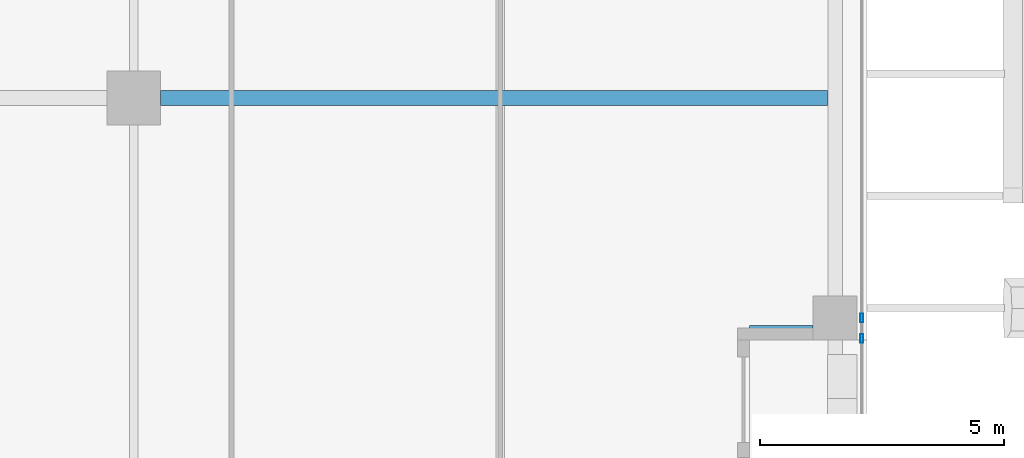
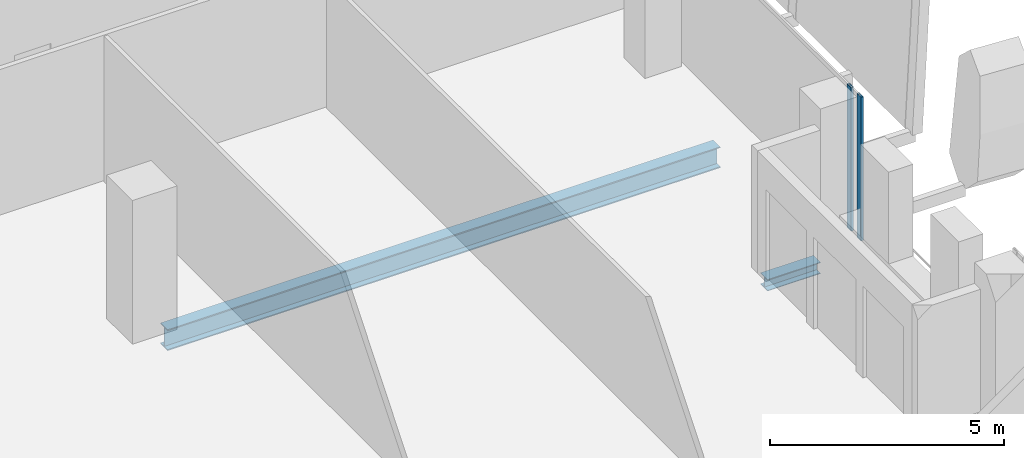
# One storey, part 12 of 35: 2 beams, 2 members, 1 element without a shape of its own.
"""IFC4 building model written with IfcOpenShell, lengths in metres."""

from ifc_helpers import new_model, si_unit, direction, frame, origin, origin_2d, place, context, subcontext, project, spatial, hollow_rectangle, i_section, extrude, source, transform, mapped, material, material_profile, profile_set, type_object, element, aggregate, save


model = new_model("IFC4")

# Units and contexts
model_context = context("Model", 3, precision=1e-05, world=origin(), true_north=direction((0.0, 1.0)))
body_context = subcontext(model_context, "Body", "Model", "MODEL_VIEW")
ifc_project = project(units=[si_unit("LENGTHUNIT", "METRE"), si_unit("AREAUNIT", "SQUARE_METRE"), si_unit("VOLUMEUNIT", "CUBIC_METRE"), si_unit("PLANEANGLEUNIT", "RADIAN"), si_unit("MASSUNIT", "GRAM", prefix="KILO")], contexts=[model_context])

# Site, building, storey
site_placement = place(None, origin())
site = spatial("IfcSite", under=ifc_project, at=site_placement, CompositionType="ELEMENT")
building_placement = place(site_placement, origin())
building = spatial("IfcBuilding", under=site, at=building_placement, Name="Khomas Fold Tower", CompositionType="ELEMENT")
storey_placement = place(building_placement, frame((0.0, 0.0, 258.199951171875)))
storey = spatial("IfcBuildingStorey", under=building, at=storey_placement, Name="L58", CompositionType="ELEMENT", Elevation=258.199951171875)

# Beams
ifc_material_1 = material(Name="Steel S355", Category="steel")
ifc_material_profile_1 = material_profile(ifc_material_1, i_section(OverallWidth=0.300048828125, OverallDepth=0.550048828125, WebThickness=0.014892578125, FlangeThickness=0.029052734375, at=origin_2d()), Name="HE 550 B")
ifc_profile_set_1 = profile_set([ifc_material_profile_1], Name="Steel S355")
beam_type_1 = type_object("IfcBeamType", Name="HE 550 B beam GB4", PredefinedType="BEAM", material=ifc_profile_set_1)
shared_shape_1 = source(origin(), body_context, "Body", "SweptSolid", [
    extrude(i_section(OverallWidth=0.300048828125, OverallDepth=0.550048828125, WebThickness=0.014892578125, FlangeThickness=0.029052734375, at=origin_2d()), origin(), (0.0, 0.0, 1.0), 13.64990234375),
])
beam_1_placement = place(storey_placement, frame((35.050048828125, 31.5, -0.52490234375), z_axis=(1.0, 0.0, 0.0), x_axis=(0.0, 1.0, 0.0)))
element("IfcBeam", 1, at=beam_1_placement, inside=storey, type_object=beam_type_1, Name="GB4", PredefinedType="BEAM", context=body_context, shape_type="MappedRepresentation", body=[
    mapped(shared_shape_1, transform((0.0, 0.0, 0.0))),
])
ifc_material_2 = material(Name="Steel S355", Category="steel")
ifc_material_profile_2 = material_profile(ifc_material_2, i_section(OverallWidth=0.300048828125, OverallDepth=0.300048828125, WebThickness=0.010986328125, FlangeThickness=0.01904296875, at=origin_2d()), Name="HE 300 B")
ifc_profile_set_2 = profile_set([ifc_material_profile_2], Name="Steel S355")
beam_type_2 = type_object("IfcBeamType", Name="HE 300 B beam BB1", PredefinedType="BEAM", material=ifc_profile_set_2)
shared_shape_2 = source(origin(), body_context, "Body", "SweptSolid", [
    extrude(i_section(OverallWidth=0.300048828125, OverallDepth=0.300048828125, WebThickness=0.010986328125, FlangeThickness=0.01904296875, at=origin_2d()), origin(), (0.0, 0.0, 1.0), 1.2998046875),
])
beam_2_placement = place(storey_placement, frame((47.10009765625, 26.699951171875, -0.39990234375), z_axis=(1.0, 0.0, 0.0), x_axis=(0.0, 1.0, 0.0)))
element("IfcBeam", 2, at=beam_2_placement, inside=storey, type_object=beam_type_2, Name="BB1", PredefinedType="BEAM", context=body_context, shape_type="MappedRepresentation", body=[
    mapped(shared_shape_2, transform((0.0, 0.0, 0.0))),
])

# Curtain wall, members
ifc_material_3 = material(Name="Aluminium framed double glazing", Category="aluminium")
curtain_wall_type = type_object("IfcCurtainWallType", Name="SK-Unitised clear-glass wall, office floors CW2", PredefinedType="NOTDEFINED", material=ifc_material_3)
curtain_wall_placement = place(storey_placement, origin())
curtain_wall = element("IfcCurtainWall", 3, at=curtain_wall_placement, inside=storey, type_object=curtain_wall_type, Name="CW2 run L58 03-1", PredefinedType="NOTDEFINED")
ifc_material_4 = material(Name="Aluminium", Category="aluminium")
ifc_material_profile_3 = material_profile(ifc_material_4, hollow_rectangle(XDim=0.06005859375, YDim=0.179931640625, WallThickness=0.00390625, at=origin_2d()), Name="SK-Unitised clear-glass wall, office floors mullion CW2-M")
ifc_profile_set_3 = profile_set([ifc_material_profile_3], Name="Aluminium")
member_type = type_object("IfcMemberType", Name="SK-Unitised clear-glass wall, office floors mullion CW2-M", PredefinedType="MULLION", material=ifc_profile_set_3)
shared_shape_3 = source(origin(), body_context, "Body", "SweptSolid", [
    extrude(hollow_rectangle(XDim=0.06005859375, YDim=0.179931640625, WallThickness=0.00390625, at=origin_2d()), origin(), (0.0, 0.0, 1.0), 3.75),
])
member_1_placement = place(storey_placement, frame((49.39990234375, 26.580078125, 0.0), z_axis=(0.0, 0.0, 1.0), x_axis=(-1.0, 0.0, 0.0)))
member_1 = element("IfcMember", 4, at=member_1_placement, type_object=member_type, Name="CW2 mullion 1", PredefinedType="MULLION", context=body_context, shape_type="MappedRepresentation", body=[
    mapped(shared_shape_3, transform((0.0, 0.0, 0.0))),
])
member_2_placement = place(storey_placement, frame((49.39990234375, 27.0, 0.0), z_axis=(0.0, 0.0, 1.0), x_axis=(-1.0, 0.0, 0.0)))
member_2 = element("IfcMember", 5, at=member_2_placement, type_object=member_type, Name="CW2 mullion 2", PredefinedType="MULLION", context=body_context, shape_type="MappedRepresentation", body=[
    mapped(shared_shape_3, transform((0.0, 0.0, 0.0))),
])
aggregate(curtain_wall, [member_1, member_2])

save(model, "model.ifc")
